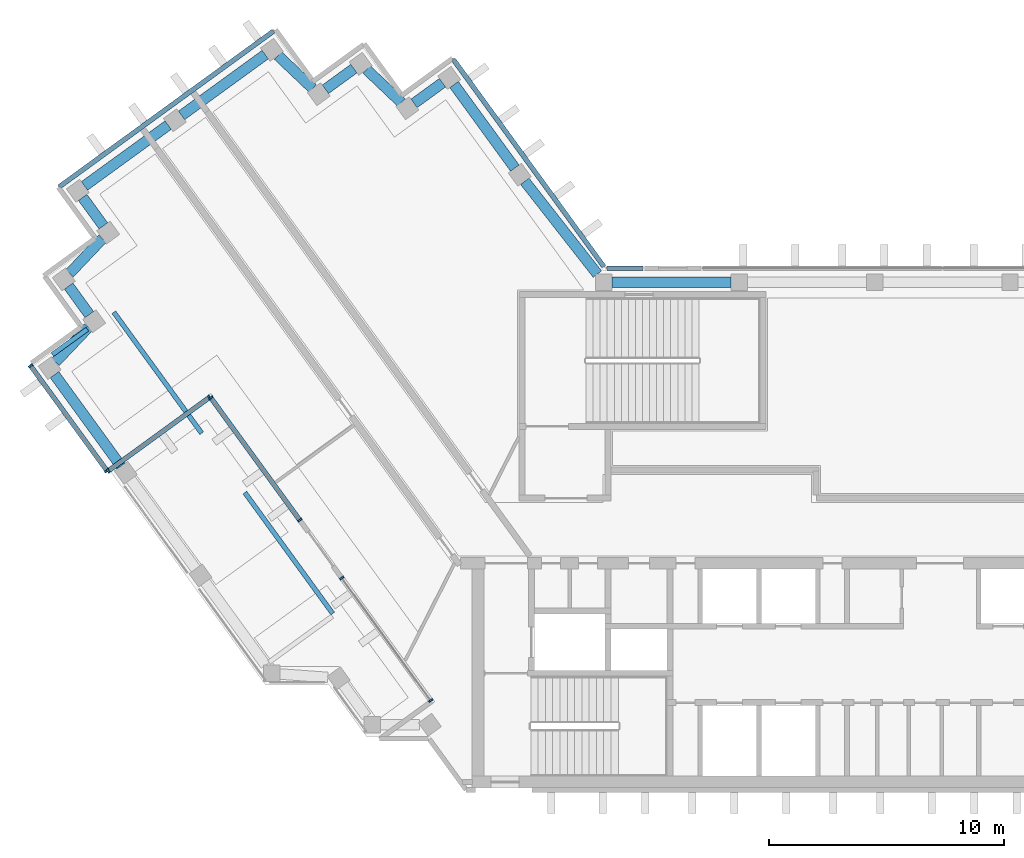
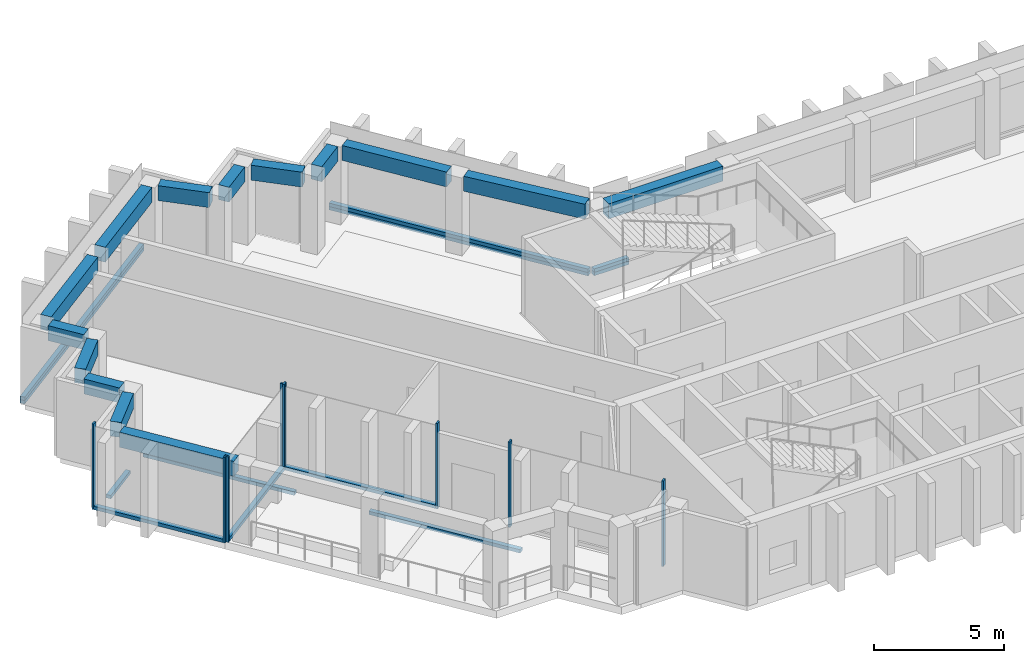
"""IFC4 building model written with IfcOpenShell, lengths in metres."""

from ifc_helpers import new_model, si_unit, direction, frame, origin, origin_2d, place, context, subcontext, project, spatial, rectangle, extrude, material, material_profile, profile_set, type_object, element, aggregate, save


model = new_model("IFC4")

# Units and contexts
model_context = context("Model", 3, precision=1e-05, world=origin(), true_north=direction((0.0, 1.0)))
body_context = subcontext(model_context, "Body", "Model", "MODEL_VIEW")
ifc_project = project(units=[si_unit("LENGTHUNIT", "METRE"), si_unit("AREAUNIT", "SQUARE_METRE"), si_unit("VOLUMEUNIT", "CUBIC_METRE"), si_unit("PLANEANGLEUNIT", "RADIAN"), si_unit("MASSUNIT", "GRAM", prefix="KILO")], contexts=[model_context])

# Site, building, storey
site_placement = place(None, origin())
site = spatial("IfcSite", under=ifc_project, at=site_placement, CompositionType="ELEMENT")
building_placement = place(site_placement, origin())
building = spatial("IfcBuilding", under=site, at=building_placement, Name="Quipu Civic Tower", CompositionType="ELEMENT")
storey_1_placement = place(building_placement, frame((0.0, 0.0, 265.0)))
storey_1 = spatial("IfcBuildingStorey", under=building, at=storey_1_placement, Name="L62", CompositionType="ELEMENT", Elevation=265.0)

# Curtain wall, members
ifc_material_1 = material(Name="Insulated glass unit", Category="glass")
curtain_wall_type = type_object("IfcCurtainWallType", Name="Office curtain wall CW1", PredefinedType="NOTDEFINED", material=ifc_material_1)
curtain_wall_1_placement = place(storey_1_placement, origin())
curtain_wall_1 = element("IfcCurtainWall", 1, at=curtain_wall_1_placement, inside=storey_1, type_object=curtain_wall_type, Name="Office curtain wall CW1 L62 run 1", PredefinedType="NOTDEFINED")
ifc_material_2 = material(Name="Anodised aluminium", Category="aluminium")
ifc_material_profile_1 = material_profile(ifc_material_2, rectangle(XDim=0.199951171875, YDim=0.080078125, at=origin_2d()), Name="RECT 200x80")
ifc_profile_set_1 = profile_set([ifc_material_profile_1], Name="Anodised aluminium")
member_type_1 = type_object("IfcMemberType", Name="Mullion CW1", PredefinedType="MULLION", material=ifc_profile_set_1)
member_1_placement = place(storey_1_placement, frame((-38.772705078125, 6.953857421875, 0.080078125), z_axis=(0.0, 0.0, 1.0), x_axis=(0.809010903145, 0.587793636059, 0.0)))
member_1 = element("IfcMember", 2, at=member_1_placement, type_object=member_type_1, Name="CW1 mullion 1", PredefinedType="MULLION", context=body_context, shape_type="SweptSolid", body=[
    extrude(rectangle(XDim=0.199951171875, YDim=0.080078125, at=origin_2d()), origin(), (0.0, 0.0, 1.0), 4.0),
])
member_2_placement = place(storey_1_placement, frame((-35.528076171875, 2.488037109375, 0.080078125), z_axis=(0.0, 0.0, 1.0), x_axis=(0.809010903145, 0.587793636059, 0.0)))
member_2 = element("IfcMember", 3, at=member_2_placement, type_object=member_type_1, Name="CW1 mullion 2", PredefinedType="MULLION", context=body_context, shape_type="SweptSolid", body=[
    extrude(rectangle(XDim=0.199951171875, YDim=0.080078125, at=origin_2d()), origin(), (0.0, 0.0, 1.0), 4.0),
])

curtain_wall_2_placement = place(storey_1_placement, origin())
curtain_wall_2 = element("IfcCurtainWall", 4, at=curtain_wall_2_placement, inside=storey_1, type_object=curtain_wall_type, Name="Office curtain wall CW1 L62 run 2", PredefinedType="NOTDEFINED")
member_3_placement = place(storey_1_placement, frame((-35.47216796875, 2.479248046875, 0.080078125), z_axis=(0.0, 0.0, 1.0), x_axis=(-0.587779635352, 0.809021075291, 0.0)))
member_3 = element("IfcMember", 5, at=member_3_placement, type_object=member_type_1, Name="CW1 mullion 1", PredefinedType="MULLION", context=body_context, shape_type="SweptSolid", body=[
    extrude(rectangle(XDim=0.199951171875, YDim=0.080078125, at=origin_2d()), origin(), (0.0, 0.0, 1.0), 4.0),
])
member_4_placement = place(storey_1_placement, frame((-31.168212890625, 5.606201171875, 0.080078125), z_axis=(0.0, 0.0, 1.0), x_axis=(-0.587779635352, 0.809021075291, 0.0)))
member_4 = element("IfcMember", 6, at=member_4_placement, type_object=member_type_1, Name="CW1 mullion 2", PredefinedType="MULLION", context=body_context, shape_type="SweptSolid", body=[
    extrude(rectangle(XDim=0.199951171875, YDim=0.080078125, at=origin_2d()), origin(), (0.0, 0.0, 1.0), 4.0),
])

curtain_wall_3_placement = place(storey_1_placement, origin())
curtain_wall_3 = element("IfcCurtainWall", 7, at=curtain_wall_3_placement, inside=storey_1, type_object=curtain_wall_type, Name="Office curtain wall CW1 L62 run 3", PredefinedType="NOTDEFINED")
member_5_placement = place(storey_1_placement, frame((-31.1123046875, 5.597412109375, 0.080078125), z_axis=(0.0, 0.0, 1.0), x_axis=(0.809021906018, 0.587778491936, 0.0)))
member_5 = element("IfcMember", 8, at=member_5_placement, type_object=member_type_1, Name="CW1 mullion 1", PredefinedType="MULLION", context=body_context, shape_type="SweptSolid", body=[
    extrude(rectangle(XDim=0.199951171875, YDim=0.080078125, at=origin_2d()), origin(), (0.0, 0.0, 1.0), 4.0),
])
member_6_placement = place(storey_1_placement, frame((-27.327880859375, 0.388427734375, 0.080078125), z_axis=(0.0, 0.0, 1.0), x_axis=(0.809021906018, 0.587778491936, 0.0)))
member_6 = element("IfcMember", 9, at=member_6_placement, type_object=member_type_1, Name="CW1 mullion 2", PredefinedType="MULLION", context=body_context, shape_type="SweptSolid", body=[
    extrude(rectangle(XDim=0.199951171875, YDim=0.080078125, at=origin_2d()), origin(), (0.0, 0.0, 1.0), 4.0),
])

curtain_wall_4_placement = place(storey_1_placement, origin())
curtain_wall_4 = element("IfcCurtainWall", 10, at=curtain_wall_4_placement, inside=storey_1, type_object=curtain_wall_type, Name="Office curtain wall CW1 L62 run 5", PredefinedType="NOTDEFINED")
member_7_placement = place(storey_1_placement, frame((-25.539306640625, -2.073486328125, 0.080078125), z_axis=(0.0, 0.0, 1.0), x_axis=(0.809018600878, 0.587783041125, 0.0)))
member_7 = element("IfcMember", 11, at=member_7_placement, type_object=member_type_1, Name="CW1 mullion 1", PredefinedType="MULLION", context=body_context, shape_type="SweptSolid", body=[
    extrude(rectangle(XDim=0.199951171875, YDim=0.080078125, at=origin_2d()), origin(), (0.0, 0.0, 1.0), 4.0),
])
member_8_placement = place(storey_1_placement, frame((-21.7548828125, -7.2822265625, 0.080078125), z_axis=(0.0, 0.0, 1.0), x_axis=(0.809018600878, 0.587783041125, 0.0)))
member_8 = element("IfcMember", 12, at=member_8_placement, type_object=member_type_1, Name="CW1 mullion 2", PredefinedType="MULLION", context=body_context, shape_type="SweptSolid", body=[
    extrude(rectangle(XDim=0.199951171875, YDim=0.080078125, at=origin_2d()), origin(), (0.0, 0.0, 1.0), 4.0),
])
aggregate(curtain_wall_4, [member_7, member_8])

# Beams
ifc_material_3 = material(Name="Concrete C50/60", Category="concrete")
ifc_material_profile_2 = material_profile(ifc_material_3, rectangle(XDim=0.449951171875, YDim=0.699951171875, at=origin_2d()), Name="RC450x700")
ifc_profile_set_2 = profile_set([ifc_material_profile_2], Name="Concrete C50/60")
beam_type = type_object("IfcBeamType", Name="Spandrel beam RC 450x700 C50/60", PredefinedType="SPANDREL", material=ifc_profile_set_2)
beam_1_placement = place(storey_1_placement, frame((-18.179443359375, 15.358154296875, 3.300048828125), z_axis=(-0.588201428764, 0.808714460857, 0.0), x_axis=(-0.808714460857, -0.588201428764, 0.0)))
element("IfcBeam", 13, at=beam_1_placement, inside=storey_1, type_object=beam_type, Name="Spandrel beam L62 W-IN-01 to T-Wi.0-W22", PredefinedType="SPANDREL", context=body_context, shape_type="SweptSolid", body=[
    extrude(rectangle(XDim=0.449951171875, YDim=0.699951171875, at=origin_2d()), origin(), (0.0, 0.0, 1.0), 4.394287109375),
])
beam_2_placement = place(storey_1_placement, frame((-21.25341796875, 18.989501953125, 3.300048828125), z_axis=(-0.809461336076, -0.587173181776, 0.0), x_axis=(0.587173181776, -0.809461336076, 0.0)))
element("IfcBeam", 14, at=beam_2_placement, inside=storey_1, type_object=beam_type, Name="Spandrel beam L62 T-Wi.0-W22 to T-Wi.1-W22", PredefinedType="SPANDREL", context=body_context, shape_type="SweptSolid", body=[
    extrude(rectangle(XDim=0.449951171875, YDim=0.699951171875, at=origin_2d()), origin(), (0.0, 0.0, 1.0), 1.498046875),
])
beam_3_placement = place(storey_1_placement, frame((-23.00732421875, 18.1494140625, 3.300048828125), z_axis=(-0.72511931772, 0.6886232461, 0.0), x_axis=(-0.6886232461, -0.72511931772, 0.0)))
element("IfcBeam", 15, at=beam_3_placement, inside=storey_1, type_object=beam_type, Name="Spandrel beam L62 T-Wi.1-W22 to T-Wi.2-W22", PredefinedType="SPANDREL", context=body_context, shape_type="SweptSolid", body=[
    extrude(rectangle(XDim=0.449951171875, YDim=0.699951171875, at=origin_2d()), origin(), (0.0, 0.0, 1.0), 2.03369140625),
])
beam_4_placement = place(storey_1_placement, frame((-25.02294921875, 19.589111328125, 3.300048828125), z_axis=(-0.808644589435, -0.588297482553, 0.0), x_axis=(0.588297482553, -0.808644589435, 0.0)))
element("IfcBeam", 16, at=beam_4_placement, inside=storey_1, type_object=beam_type, Name="Spandrel beam L62 T-Wi.2-W22 to T-Wi.3-W22", PredefinedType="SPANDREL", context=body_context, shape_type="SweptSolid", body=[
    extrude(rectangle(XDim=0.449951171875, YDim=0.699951171875, at=origin_2d()), origin(), (0.0, 0.0, 1.0), 1.500244140625),
])
beam_5_placement = place(storey_1_placement, frame((-26.777099609375, 18.74560546875, 3.300048828125), z_axis=(-0.725359138958, 0.688370626574, 0.0), x_axis=(-0.688370626574, -0.725359138958, 0.0)))
element("IfcBeam", 17, at=beam_5_placement, inside=storey_1, type_object=beam_type, Name="Spandrel beam L62 T-Wi.3-W22 to T-Wi.4-W22", PredefinedType="SPANDREL", context=body_context, shape_type="SweptSolid", body=[
    extrude(rectangle(XDim=0.449951171875, YDim=0.699951171875, at=origin_2d()), origin(), (0.0, 0.0, 1.0), 2.032958984375),
])
beam_6_placement = place(storey_1_placement, frame((-28.793212890625, 20.184326171875, 3.300048828125), z_axis=(-0.809146152767, -0.587607439931, 0.0), x_axis=(0.587607439931, -0.809146152767, 0.0)))
element("IfcBeam", 18, at=beam_6_placement, inside=storey_1, type_object=beam_type, Name="Spandrel beam L62 T-Wi.4-W22 to TIP-W-01-W22", PredefinedType="SPANDREL", context=body_context, shape_type="SweptSolid", body=[
    extrude(rectangle(XDim=0.449951171875, YDim=0.699951171875, at=origin_2d()), origin(), (0.0, 0.0, 1.0), 4.400390625),
])
beam_7_placement = place(storey_1_placement, frame((-32.920166015625, 17.187255859375, 3.300048828125), z_axis=(-0.809117270763, -0.587647208921, 0.0), x_axis=(0.587647208921, -0.809117270763, 0.0)))
element("IfcBeam", 19, at=beam_7_placement, inside=storey_1, type_object=beam_type, Name="Spandrel beam L62 TIP-W-01-W22 to T-Wo.0-W22", PredefinedType="SPANDREL", context=body_context, shape_type="SweptSolid", body=[
    extrude(rectangle(XDim=0.449951171875, YDim=0.699951171875, at=origin_2d()), origin(), (0.0, 0.0, 1.0), 4.40185546875),
])
beam_8_placement = place(storey_1_placement, frame((-36.55908203125, 14.112060546875, 3.300048828125), z_axis=(0.588345920092, -0.808609348394, 0.0), x_axis=(0.808609348394, 0.588345920092, 0.0)))
element("IfcBeam", 20, at=beam_8_placement, inside=storey_1, type_object=beam_type, Name="Spandrel beam L62 T-Wo.0-W22 to T-Wo.1-W22", PredefinedType="SPANDREL", context=body_context, shape_type="SweptSolid", body=[
    extrude(rectangle(XDim=0.449951171875, YDim=0.699951171875, at=origin_2d()), origin(), (0.0, 0.0, 1.0), 1.499755859375),
])
beam_9_placement = place(storey_1_placement, frame((-35.7158203125, 12.358154296875, 3.300048828125), z_axis=(-0.688247466856, -0.725475998477, 0.0), x_axis=(0.725475998477, -0.688247466856, 0.0)))
element("IfcBeam", 21, at=beam_9_placement, inside=storey_1, type_object=beam_type, Name="Spandrel beam L62 T-Wo.1-W22 to T-Wo.2-W22", PredefinedType="SPANDREL", context=body_context, shape_type="SweptSolid", body=[
    extrude(rectangle(XDim=0.449951171875, YDim=0.699951171875, at=origin_2d()), origin(), (0.0, 0.0, 1.0), 2.032958984375),
])
beam_10_placement = place(storey_1_placement, frame((-37.154541015625, 10.341796875, 3.300048828125), z_axis=(0.587164895097, -0.809467347066, 0.0), x_axis=(0.809467347066, 0.587164895097, 0.0)))
element("IfcBeam", 22, at=beam_10_placement, inside=storey_1, type_object=beam_type, Name="Spandrel beam L62 T-Wo.2-W22 to T-Wo.3-W22", PredefinedType="SPANDREL", context=body_context, shape_type="SweptSolid", body=[
    extrude(rectangle(XDim=0.449951171875, YDim=0.699951171875, at=origin_2d()), origin(), (0.0, 0.0, 1.0), 1.500244140625),
])
beam_11_placement = place(storey_1_placement, frame((-36.3134765625, 8.586181640625, 3.300048828125), z_axis=(-0.689175330605, -0.724594620244, 0.0), x_axis=(0.724594620244, -0.689175330605, 0.0)))
element("IfcBeam", 23, at=beam_11_placement, inside=storey_1, type_object=beam_type, Name="Spandrel beam L62 T-Wo.3-W22 to T-Wo.4-W22", PredefinedType="SPANDREL", context=body_context, shape_type="SweptSolid", body=[
    extrude(rectangle(XDim=0.449951171875, YDim=0.699951171875, at=origin_2d()), origin(), (0.0, 0.0, 1.0), 2.033447265625),
])
beam_12_placement = place(storey_1_placement, frame((-37.754150390625, 6.57177734375, 3.300048828125), z_axis=(0.587905928359, -0.808929304328, 0.0), x_axis=(0.808929304328, 0.587905928359, 0.0)))
element("IfcBeam", 24, at=beam_12_placement, inside=storey_1, type_object=beam_type, Name="Spandrel beam L62 T-Wo.4-W22 to W-OUT-02", PredefinedType="SPANDREL", context=body_context, shape_type="SweptSolid", body=[
    extrude(rectangle(XDim=0.449951171875, YDim=0.699951171875, at=origin_2d()), origin(), (0.0, 0.0, 1.0), 4.80712890625),
])
beam_13_placement = place(storey_1_placement, frame((-8.987060546875, 10.5, 3.300048828125), z_axis=(-1.0, 0.0, 0.0), x_axis=(0.0, -1.0, 0.0)))
element("IfcBeam", 25, at=beam_13_placement, inside=storey_1, type_object=beam_type, Name="Spandrel beam L62 FRONT-04 to J-Wi.0", PredefinedType="SPANDREL", context=body_context, shape_type="SweptSolid", body=[
    extrude(rectangle(XDim=0.449951171875, YDim=0.699951171875, at=origin_2d()), origin(), (0.0, 0.0, 1.0), 5.05810546875),
])
beam_14_placement = place(storey_1_placement, frame((-14.6689453125, 10.85009765625, 3.300048828125), z_axis=(-0.616106034519, 0.787663223865, 0.0), x_axis=(-0.787663223865, -0.616106034519, 0.0)))
element("IfcBeam", 26, at=beam_14_placement, inside=storey_1, type_object=beam_type, Name="Spandrel beam L62 J-Wi.0 to W-IN-01", PredefinedType="SPANDREL", context=body_context, shape_type="SweptSolid", body=[
    extrude(rectangle(XDim=0.449951171875, YDim=0.699951171875, at=origin_2d()), origin(), (0.0, 0.0, 1.0), 5.013427734375),
])

# Storey
storey_2_placement = place(building_placement, frame((0.0, 0.0, 257.0)))
storey_2 = spatial("IfcBuildingStorey", under=building, at=storey_2_placement, Name="L60", CompositionType="ELEMENT", Elevation=257.0)

# Curtain wall, member
curtain_wall_5_placement = place(storey_2_placement, origin())
curtain_wall_5 = element("IfcCurtainWall", 27, at=curtain_wall_5_placement, inside=storey_2, type_object=curtain_wall_type, Name="Office curtain wall CW1 L59 run 28", PredefinedType="NOTDEFINED")
ifc_material_4 = material(Name="Anodised aluminium", Category="aluminium")
ifc_material_profile_3 = material_profile(ifc_material_4, rectangle(XDim=0.199951171875, YDim=0.159912109375, at=origin_2d()), Name="RECT 200x160")
ifc_profile_set_3 = profile_set([ifc_material_profile_3], Name="Anodised aluminium")
member_type_2 = type_object("IfcMemberType", Name="Transom CW1", PredefinedType="USERDEFINED", material=ifc_profile_set_3)
member_9_placement = place(storey_1_placement, frame((-12.735107421875, 11.10009765625, 0.0), z_axis=(-1.0, 0.0, 0.0), x_axis=(0.0, -1.0, 0.0)))
member_9 = element("IfcMember", 28, at=member_9_placement, inside=storey_1, type_object=member_type_2, Name="CW1 transom 1.4", ObjectType="TRANSOM", PredefinedType="USERDEFINED", context=body_context, shape_type="SweptSolid", body=[
    extrude(rectangle(XDim=0.199951171875, YDim=0.159912109375, at=origin_2d()), origin(), (0.0, 0.0, 1.0), 1.529052734375),
])
aggregate(curtain_wall_5, [member_9])

curtain_wall_6_placement = place(storey_2_placement, origin())
curtain_wall_6 = element("IfcCurtainWall", 29, at=curtain_wall_6_placement, inside=storey_2, type_object=curtain_wall_type, Name="Office curtain wall CW1 L59 run 29", PredefinedType="NOTDEFINED")
member_10_placement = place(storey_1_placement, frame((-14.39111328125, 11.164794921875, 0.0), z_axis=(-0.587796859727, 0.809008560953, 0.0), x_axis=(-0.809008560953, -0.587796859727, 0.0)))
member_10 = element("IfcMember", 30, at=member_10_placement, inside=storey_1, type_object=member_type_2, Name="CW1 transom 1.4", ObjectType="TRANSOM", PredefinedType="USERDEFINED", context=body_context, shape_type="SweptSolid", body=[
    extrude(rectangle(XDim=0.199951171875, YDim=0.159912109375, at=origin_2d()), origin(), (0.0, 0.0, 1.0), 10.88427734375),
])
aggregate(curtain_wall_6, [member_10])

curtain_wall_7_placement = place(storey_2_placement, origin())
curtain_wall_7 = element("IfcCurtainWall", 31, at=curtain_wall_7_placement, inside=storey_2, type_object=curtain_wall_type, Name="Office curtain wall CW1 L59 run 34", PredefinedType="NOTDEFINED")
member_11_placement = place(storey_1_placement, frame((-28.443359375, 21.1826171875, 0.0), z_axis=(-0.809022463805, -0.587777724194, 0.0), x_axis=(0.587777724194, -0.809022463805, 0.0)))
member_11 = element("IfcMember", 32, at=member_11_placement, inside=storey_1, type_object=member_type_2, Name="CW1 transom 1.4", ObjectType="TRANSOM", PredefinedType="USERDEFINED", context=body_context, shape_type="SweptSolid", body=[
    extrude(rectangle(XDim=0.199951171875, YDim=0.159912109375, at=origin_2d()), origin(), (0.0, 0.0, 1.0), 11.240234375),
])
aggregate(curtain_wall_7, [member_11])

# Storey
storey_3_placement = place(building_placement, frame((0.0, 0.0, 261.0)))
storey_3 = spatial("IfcBuildingStorey", under=building, at=storey_3_placement, Name="L61", CompositionType="ELEMENT", Elevation=261.0)

# Curtain wall, member
curtain_wall_8_placement = place(storey_3_placement, origin())
curtain_wall_8 = element("IfcCurtainWall", 33, at=curtain_wall_8_placement, inside=storey_3, type_object=curtain_wall_type, Name="Office curtain wall CW1 L61 run 1", PredefinedType="NOTDEFINED")
member_12_placement = place(storey_1_placement, frame((-37.845703125, 7.429443359375, 0.0), z_axis=(0.809017199524, 0.587784969929, 0.0), x_axis=(-0.587784969929, 0.809017199524, 0.0)))
member_12 = element("IfcMember", 34, at=member_12_placement, inside=storey_1, type_object=member_type_2, Name="CW1 transom 1.2", ObjectType="TRANSOM", PredefinedType="USERDEFINED", context=body_context, shape_type="SweptSolid", body=[
    extrude(rectangle(XDim=0.199951171875, YDim=0.159912109375, at=origin_2d()), origin(), (0.0, 0.0, 1.0), 1.839599609375),
])
aggregate(curtain_wall_8, [member_12])

curtain_wall_9_placement = place(storey_3_placement, origin())
curtain_wall_9 = element("IfcCurtainWall", 35, at=curtain_wall_9_placement, inside=storey_3, type_object=curtain_wall_type, Name="Office curtain wall CW1 L61 run 3", PredefinedType="NOTDEFINED")
member_13_placement = place(storey_1_placement, frame((-35.233642578125, 9.228271484375, 0.0), z_axis=(0.587778942742, -0.809021578494, 0.0), x_axis=(0.809021578494, 0.587778942742, 0.0)))
member_13 = element("IfcMember", 36, at=member_13_placement, inside=storey_1, type_object=member_type_2, Name="CW1 transom 1.2", ObjectType="TRANSOM", PredefinedType="USERDEFINED", context=body_context, shape_type="SweptSolid", body=[
    extrude(rectangle(XDim=0.199951171875, YDim=0.159912109375, at=origin_2d()), origin(), (0.0, 0.0, 1.0), 6.3583984375),
])
aggregate(curtain_wall_9, [member_13])

curtain_wall_10_placement = place(storey_3_placement, origin())
curtain_wall_10 = element("IfcCurtainWall", 37, at=curtain_wall_10_placement, inside=storey_3, type_object=curtain_wall_type, Name="Office curtain wall CW1 L61 run 5", PredefinedType="NOTDEFINED")
member_14_placement = place(storey_1_placement, frame((-29.66064453125, 1.5576171875, 0.0), z_axis=(0.587804073239, -0.809003319822, 0.0), x_axis=(0.809003319822, 0.587804073239, 0.0)))
member_14 = element("IfcMember", 38, at=member_14_placement, inside=storey_1, type_object=member_type_2, Name="CW1 transom 1.2", ObjectType="TRANSOM", PredefinedType="USERDEFINED", context=body_context, shape_type="SweptSolid", body=[
    extrude(rectangle(XDim=0.199951171875, YDim=0.159912109375, at=origin_2d()), origin(), (0.0, 0.0, 1.0), 6.3583984375),
])
aggregate(curtain_wall_10, [member_14])

# Member
member_15_placement = place(storey_1_placement, frame((-38.7490234375, 6.92138671875, 0.159912109375), z_axis=(0.587795368516, -0.809009644412, 0.0), x_axis=(0.809009644412, 0.587795368516, 0.0)))
member_15 = element("IfcMember", 39, at=member_15_placement, type_object=member_type_2, Name="CW1 transom 1.1", ObjectType="TRANSOM", PredefinedType="USERDEFINED", context=body_context, shape_type="SweptSolid", body=[
    extrude(rectangle(XDim=0.199951171875, YDim=0.159912109375, at=origin_2d()), origin(), (0.0, 0.0, 1.0), 5.43994140625),
])

aggregate(curtain_wall_1, [member_1, member_2, member_15])

member_16_placement = place(storey_1_placement, frame((-35.439697265625, 2.502685546875, 0.159912109375), z_axis=(0.809010003307, 0.587794874552, 0.0), x_axis=(-0.587794874552, 0.809010003307, 0.0)))
member_16 = element("IfcMember", 40, at=member_16_placement, type_object=member_type_2, Name="CW1 transom 1.1", ObjectType="TRANSOM", PredefinedType="USERDEFINED", context=body_context, shape_type="SweptSolid", body=[
    extrude(rectangle(XDim=0.199951171875, YDim=0.159912109375, at=origin_2d()), origin(), (0.0, 0.0, 1.0), 5.239990234375),
])

aggregate(curtain_wall_2, [member_3, member_4, member_16])

member_17_placement = place(storey_1_placement, frame((-31.0888671875, 5.56494140625, 0.159912109375), z_axis=(0.587785815007, -0.809016585539, 0.0), x_axis=(0.809016585539, 0.587785815007, 0.0)))
member_17 = element("IfcMember", 41, at=member_17_placement, type_object=member_type_2, Name="CW1 transom 1.1", ObjectType="TRANSOM", PredefinedType="USERDEFINED", context=body_context, shape_type="SweptSolid", body=[
    extrude(rectangle(XDim=0.199951171875, YDim=0.159912109375, at=origin_2d()), origin(), (0.0, 0.0, 1.0), 6.358642578125),
])

aggregate(curtain_wall_3, [member_5, member_6, member_17])

# Storey
storey_4_placement = place(building_placement, frame((0.0, 0.0, 269.0)))
storey_4 = spatial("IfcBuildingStorey", under=building, at=storey_4_placement, Name="L63", CompositionType="ELEMENT", Elevation=269.0)

# Curtain wall, member
curtain_wall_11_placement = place(storey_4_placement, origin())
curtain_wall_11 = element("IfcCurtainWall", 42, at=curtain_wall_11_placement, inside=storey_4, type_object=curtain_wall_type, Name="Office curtain wall CW1 L62 run 31", PredefinedType="NOTDEFINED")
member_18_placement = place(storey_1_placement, frame((-12.735107421875, 11.10009765625, 0.159912109375), z_axis=(-1.0, 0.0, 0.0), x_axis=(0.0, -1.0, 0.0)))
member_18 = element("IfcMember", 43, at=member_18_placement, inside=storey_1, type_object=member_type_2, Name="CW1 transom 1.1", ObjectType="TRANSOM", PredefinedType="USERDEFINED", context=body_context, shape_type="SweptSolid", body=[
    extrude(rectangle(XDim=0.199951171875, YDim=0.159912109375, at=origin_2d()), origin(), (0.0, 0.0, 1.0), 1.529052734375),
])
aggregate(curtain_wall_11, [member_18])

curtain_wall_12_placement = place(storey_4_placement, origin())
curtain_wall_12 = element("IfcCurtainWall", 44, at=curtain_wall_12_placement, inside=storey_4, type_object=curtain_wall_type, Name="Office curtain wall CW1 L62 run 32", PredefinedType="NOTDEFINED")
member_19_placement = place(storey_1_placement, frame((-14.39111328125, 11.164794921875, 0.159912109375), z_axis=(-0.587796859727, 0.809008560953, 0.0), x_axis=(-0.809008560953, -0.587796859727, 0.0)))
member_19 = element("IfcMember", 45, at=member_19_placement, inside=storey_1, type_object=member_type_2, Name="CW1 transom 1.1", ObjectType="TRANSOM", PredefinedType="USERDEFINED", context=body_context, shape_type="SweptSolid", body=[
    extrude(rectangle(XDim=0.199951171875, YDim=0.159912109375, at=origin_2d()), origin(), (0.0, 0.0, 1.0), 10.88427734375),
])
aggregate(curtain_wall_12, [member_19])

curtain_wall_13_placement = place(storey_4_placement, origin())
curtain_wall_13 = element("IfcCurtainWall", 46, at=curtain_wall_13_placement, inside=storey_4, type_object=curtain_wall_type, Name="Office curtain wall CW1 L62 run 37", PredefinedType="NOTDEFINED")
member_20_placement = place(storey_1_placement, frame((-28.443359375, 21.1826171875, 0.159912109375), z_axis=(-0.809022463805, -0.587777724194, 0.0), x_axis=(0.587777724194, -0.809022463805, 0.0)))
member_20 = element("IfcMember", 47, at=member_20_placement, inside=storey_1, type_object=member_type_2, Name="CW1 transom 1.1", ObjectType="TRANSOM", PredefinedType="USERDEFINED", context=body_context, shape_type="SweptSolid", body=[
    extrude(rectangle(XDim=0.199951171875, YDim=0.159912109375, at=origin_2d()), origin(), (0.0, 0.0, 1.0), 11.240234375),
])
aggregate(curtain_wall_13, [member_20])

save(model, "model.ifc")
